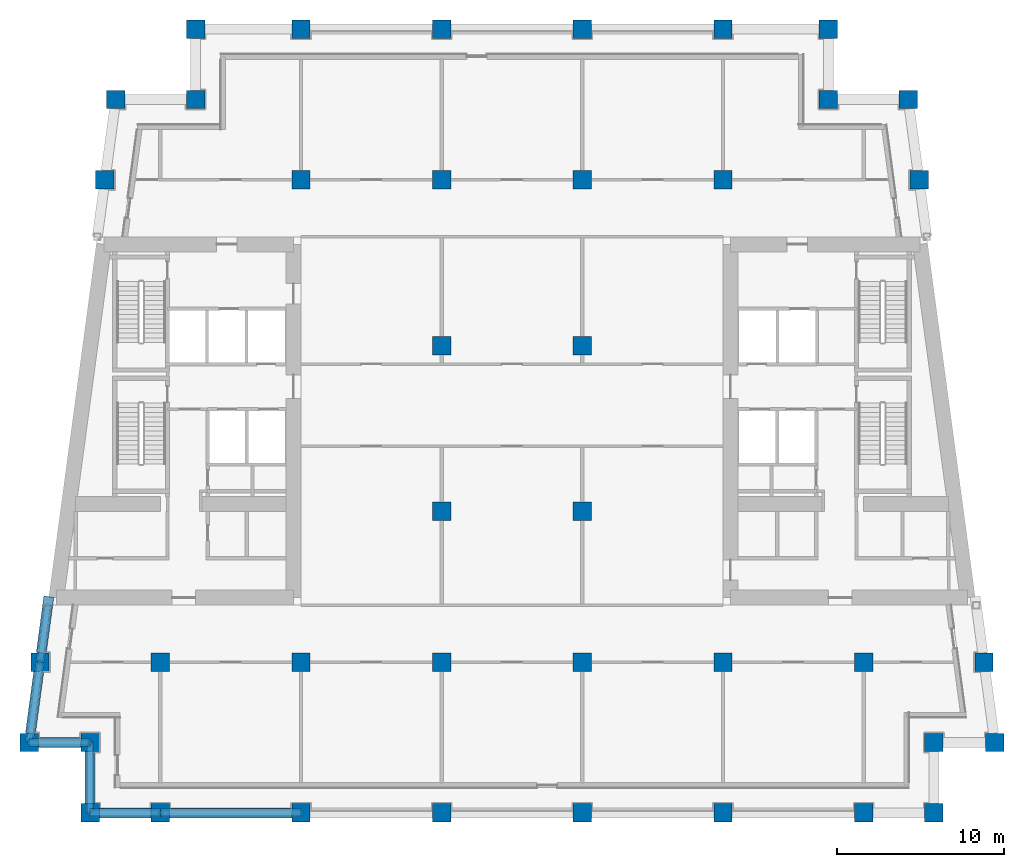
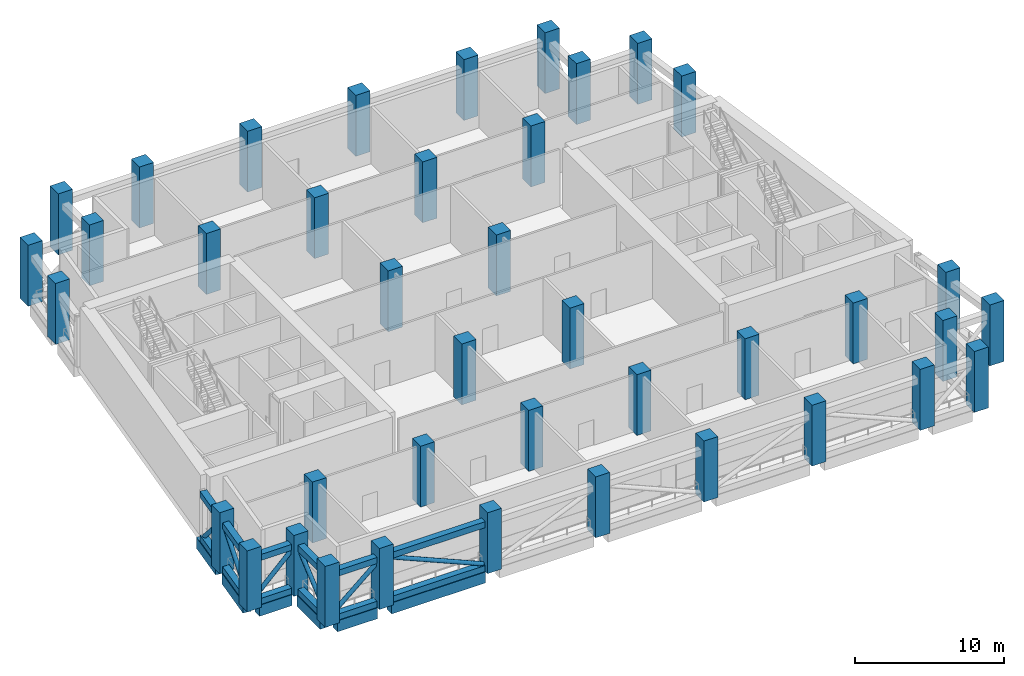
# One storey, part 1 of 12: 40 columns, 18 members, 6 beams.
"""IFC4 building model written with IfcOpenShell, lengths in metres."""

from ifc_helpers import new_model, si_unit, direction, frame, origin, origin_2d, place, context, subcontext, project, spatial, rectangle, hollow_rectangle, hollow_circle, extrude, material, material_profile, profile_set, type_object, element, save


model = new_model("IFC4")

# Units and contexts
model_context = context("Model", 3, precision=1e-05, world=origin(), true_north=direction((0.0, 1.0)))
body_context = subcontext(model_context, "Body", "Model", "MODEL_VIEW")
ifc_project = project(units=[si_unit("LENGTHUNIT", "METRE"), si_unit("AREAUNIT", "SQUARE_METRE"), si_unit("VOLUMEUNIT", "CUBIC_METRE"), si_unit("PLANEANGLEUNIT", "RADIAN"), si_unit("MASSUNIT", "GRAM", prefix="KILO")], contexts=[model_context])

# Site, building, storey
site_placement = place(None, origin())
site = spatial("IfcSite", under=ifc_project, at=site_placement, CompositionType="ELEMENT")
building_placement = place(site_placement, origin())
building = spatial("IfcBuilding", under=site, at=building_placement, Name="Candeia Pilgrim Tower and Theatre", CompositionType="ELEMENT")
storey_placement = place(building_placement, frame((0.0, 0.0, 197.199951171875)))
storey = spatial("IfcBuildingStorey", under=building, at=storey_placement, Name="L47", CompositionType="ELEMENT", Elevation=197.199951171875)

# Columns
ifc_material_1 = material(Name="Concrete C60/75", Category="concrete")
ifc_material_profile_1 = material_profile(ifc_material_1, rectangle(XDim=1.10009765625, YDim=1.10009765625, at=origin_2d()))
ifc_profile_set_1 = profile_set([ifc_material_profile_1], Name="Concrete C60/75")
column_type = type_object("IfcColumnType", Name="RC 1100x1100 C60/75", PredefinedType="COLUMN", material=ifc_profile_set_1)
for number, where, z_axis, x_axis, name in (
    (1, (92.39990234375, 98.0, 0.0), (0.0, 0.0, 1.0), (1.0, 0.0, 0.0), "Column A1"),
    (2, (100.800048828125, 98.0, 0.0), (0.0, 0.0, 1.0), (1.0, 0.0, 0.0), "Column A2"),
    (3, (109.199951171875, 98.0, 0.0), (0.0, 0.0, 1.0), (1.0, 0.0, 0.0), "Column A3"),
    (4, (117.60009765625, 98.0, 0.0), (0.0, 0.0, 1.0), (1.0, 0.0, 0.0), "Column A4"),
    (5, (126.0, 98.0, 0.0), (0.0, 0.0, 1.0), (1.0, 0.0, 0.0), "Column A5"),
    (6, (134.39990234375, 98.0, 0.0), (0.0, 0.0, 1.0), (1.0, 0.0, 0.0), "Column A6"),
    (7, (88.199951171875, 98.0, 0.0), (0.0, 0.0, 1.0), (1.0, 0.0, 0.0), "Column AW"),
    (8, (138.60009765625, 98.0, 0.0), (0.0, 0.0, 1.0), (1.0, 0.0, 0.0), "Column AE"),
    (9, (88.199951171875, 102.199951171875, 0.0), (0.0, 0.0, 1.0), (1.0, 0.0, 0.0), "Column NSW"),
    (10, (138.60009765625, 102.199951171875, 0.0), (0.0, 0.0, 1.0), (1.0, 0.0, 0.0), "Column NSE"),
    (11, (94.5, 140.60009765625, 0.0), (0.0, 0.0, 1.0), (1.0, 0.0, 0.0), "Column NNW"),
    (12, (132.300048828125, 140.60009765625, 0.0), (0.0, 0.0, 1.0), (1.0, 0.0, 0.0), "Column NNE"),
    (13, (84.5654296875, 102.199951171875, 0.0), (0.0, 0.0, 1.0), (1.0, 0.0, 0.0), "Column LSW"),
    (14, (142.234619140625, 102.199951171875, 0.0), (0.0, 0.0, 1.0), (1.0, 0.0, 0.0), "Column LSE"),
    (15, (89.734619140625, 140.60009765625, 0.0), (0.0, 0.0, 1.0), (1.0, 0.0, 0.0), "Column LNW"),
    (16, (137.0654296875, 140.60009765625, 0.0), (0.0, 0.0, 1.0), (1.0, 0.0, 0.0), "Column LNE"),
    (17, (92.39990234375, 107.0, 0.0), (0.0, 0.0, 1.0), (1.0, 0.0, 0.0), "Column B1"),
    (18, (100.800048828125, 107.0, 0.0), (0.0, 0.0, 1.0), (1.0, 0.0, 0.0), "Column B2"),
    (19, (109.199951171875, 107.0, 0.0), (0.0, 0.0, 1.0), (1.0, 0.0, 0.0), "Column B3"),
    (20, (117.60009765625, 107.0, 0.0), (0.0, 0.0, 1.0), (1.0, 0.0, 0.0), "Column B4"),
    (21, (126.0, 107.0, 0.0), (0.0, 0.0, 1.0), (1.0, 0.0, 0.0), "Column B5"),
    (22, (134.39990234375, 107.0, 0.0), (0.0, 0.0, 1.0), (1.0, 0.0, 0.0), "Column B6"),
    (23, (85.21142578125, 107.0, 0.0), (0.0, 0.0, 1.0), (1.0, 0.0, 0.0), "Column BW"),
    (24, (141.58837890625, 107.0, 0.0), (0.0, 0.0, 1.0), (1.0, 0.0, 0.0), "Column BE"),
    (25, (109.199951171875, 116.0, 0.0), (0.0, 0.0, 1.0), (1.0, 0.0, 0.0), "Column C3"),
    (26, (117.60009765625, 116.0, 0.0), (0.0, 0.0, 1.0), (1.0, 0.0, 0.0), "Column C4"),
    (27, (109.199951171875, 125.89990234375, 0.0), (0.0, 0.0, 1.0), (1.0, 0.0, 0.0), "Column D3"),
    (28, (117.60009765625, 125.89990234375, 0.0), (0.0, 0.0, 1.0), (1.0, 0.0, 0.0), "Column D4"),
    (29, (100.800048828125, 135.800048828125, 0.0), (0.0, 0.0, 1.0), (1.0, 0.0, 0.0), "Column E2"),
    (30, (109.199951171875, 135.800048828125, 0.0), (0.0, 0.0, 1.0), (1.0, 0.0, 0.0), "Column E3"),
    (31, (117.60009765625, 135.800048828125, 0.0), (0.0, 0.0, 1.0), (1.0, 0.0, 0.0), "Column E4"),
    (32, (126.0, 135.800048828125, 0.0), (0.0, 0.0, 1.0), (1.0, 0.0, 0.0), "Column E5"),
    (33, (89.08837890625, 135.800048828125, 0.0), (0.0, 0.0, 1.0), (1.0, 0.0, 0.0), "Column EW"),
    (34, (137.71142578125, 135.800048828125, 0.0), (0.0, 0.0, 1.0), (1.0, 0.0, 0.0), "Column EE"),
    (35, (100.800048828125, 144.800048828125, 0.0), (0.0, 0.0, 1.0), (1.0, 0.0, 0.0), "Column F2"),
    (36, (109.199951171875, 144.800048828125, 0.0), (0.0, 0.0, 1.0), (1.0, 0.0, 0.0), "Column F3"),
    (37, (117.60009765625, 144.800048828125, 0.0), (0.0, 0.0, 1.0), (1.0, 0.0, 0.0), "Column F4"),
    (38, (126.0, 144.800048828125, 0.0), (0.0, 0.0, 1.0), (1.0, 0.0, 0.0), "Column F5"),
    (39, (94.5, 144.800048828125, 0.0), (0.0, 0.0, 1.0), (1.0, 0.0, 0.0), "Column FW"),
    (40, (132.300048828125, 144.800048828125, 0.0), (0.0, 0.0, 1.0), (1.0, 0.0, 0.0), "Column FE"),
):
    element("IfcColumn", number, at=place(storey_placement, frame(where, z_axis=z_axis, x_axis=x_axis)), inside=storey, type_object=column_type, Name=name, PredefinedType="COLUMN", context=body_context, shape_type="SweptSolid", body=[
        extrude(rectangle(XDim=1.10009765625, YDim=1.10009765625, at=origin_2d()), origin(), (0.0, 0.0, 1.0), 5.0),
    ])

# Members
ifc_material_2 = material(Name="Structural steel ASTM A572 Grade 50", Category="steel")
ifc_material_profile_2 = material_profile(ifc_material_2, hollow_rectangle(XDim=0.5, YDim=0.5, WallThickness=0.031982421875, at=origin_2d()))
ifc_profile_set_2 = profile_set([ifc_material_profile_2], Name="Structural steel ASTM A572 Grade 50")
member_type_1 = type_object("IfcMemberType", Name="BOX 500x500x32 chord", PredefinedType="CHORD", material=ifc_profile_set_2)
for number, where, z_axis, x_axis, name in (
    (41, (88.199951171875, 98.0, 0.25), (1.0, 0.0, 0.0), (0.0, 1.0, 0.0), "Belt truss bottom chord TBL47"),
    (42, (88.199951171875, 98.0, 3.85009765625), (1.0, 0.0, 0.0), (0.0, 1.0, 0.0), "Belt truss top chord TBL47"),
):
    element("IfcMember", number, at=place(storey_placement, frame(where, z_axis=z_axis, x_axis=x_axis)), inside=storey, type_object=member_type_1, Name=name, PredefinedType="CHORD", context=body_context, shape_type="SweptSolid", body=[
        extrude(hollow_rectangle(XDim=0.5, YDim=0.5, WallThickness=0.031982421875, at=origin_2d()), origin(), (0.0, 0.0, 1.0), 4.199951171875),
    ])
for number, where, z_axis, x_axis, name in (
    (43, (92.39990234375, 98.0, 0.25), (1.0, 0.0, 0.0), (0.0, 1.0, 0.0), "Belt truss bottom chord TBL47"),
    (44, (92.39990234375, 98.0, 3.85009765625), (1.0, 0.0, 0.0), (0.0, 1.0, 0.0), "Belt truss top chord TBL47"),
):
    element("IfcMember", number, at=place(storey_placement, frame(where, z_axis=z_axis, x_axis=x_axis)), inside=storey, type_object=member_type_1, Name=name, PredefinedType="CHORD", context=body_context, shape_type="SweptSolid", body=[
        extrude(hollow_rectangle(XDim=0.5, YDim=0.5, WallThickness=0.031982421875, at=origin_2d()), origin(), (0.0, 0.0, 1.0), 8.400146484375),
    ])
for number, where, z_axis, x_axis, name in (
    (45, (85.669189453125, 110.39990234375, 0.25), (-0.133436208017, -0.991057404185, 0.0), (0.991057404185, -0.133436208017, 0.0), "Belt truss bottom chord TBL47"),
    (46, (85.669189453125, 110.39990234375, 3.85009765625), (-0.133436208017, -0.991057404185, 0.0), (0.991057404185, -0.133436208017, 0.0), "Belt truss top chord TBL47"),
):
    element("IfcMember", number, at=place(storey_placement, frame(where, z_axis=z_axis, x_axis=x_axis)), inside=storey, type_object=member_type_1, Name=name, PredefinedType="CHORD", context=body_context, shape_type="SweptSolid", body=[
        extrude(hollow_rectangle(XDim=0.5, YDim=0.5, WallThickness=0.031982421875, at=origin_2d()), origin(), (0.0, 0.0, 1.0), 3.4306640625),
    ])
for number, where, z_axis, x_axis, name in (
    (47, (85.21142578125, 107.0, 0.25), (-0.133378687709, -0.991065147034, 0.0), (0.991065147034, -0.133378687709, 0.0), "Belt truss bottom chord TBL47"),
    (48, (85.21142578125, 107.0, 3.85009765625), (-0.133378687709, -0.991065147034, 0.0), (0.991065147034, -0.133378687709, 0.0), "Belt truss top chord TBL47"),
):
    element("IfcMember", number, at=place(storey_placement, frame(where, z_axis=z_axis, x_axis=x_axis)), inside=storey, type_object=member_type_1, Name=name, PredefinedType="CHORD", context=body_context, shape_type="SweptSolid", body=[
        extrude(hollow_rectangle(XDim=0.5, YDim=0.5, WallThickness=0.031982421875, at=origin_2d()), origin(), (0.0, 0.0, 1.0), 4.84326171875),
    ])
for number, where, z_axis, x_axis, name in (
    (49, (84.5654296875, 102.199951171875, 0.25), (1.0, 0.0, 0.0), (0.0, 1.0, 0.0), "Belt truss bottom chord TBL47"),
    (50, (84.5654296875, 102.199951171875, 3.85009765625), (1.0, 0.0, 0.0), (0.0, 1.0, 0.0), "Belt truss top chord TBL47"),
):
    element("IfcMember", number, at=place(storey_placement, frame(where, z_axis=z_axis, x_axis=x_axis)), inside=storey, type_object=member_type_1, Name=name, PredefinedType="CHORD", context=body_context, shape_type="SweptSolid", body=[
        extrude(hollow_rectangle(XDim=0.5, YDim=0.5, WallThickness=0.031982421875, at=origin_2d()), origin(), (0.0, 0.0, 1.0), 3.634521484375),
    ])
for number, where, z_axis, x_axis, name in (
    (51, (88.199951171875, 102.199951171875, 0.25), (0.0, -1.0, 0.0), (1.0, 0.0, 0.0), "Belt truss bottom chord TBL47"),
    (52, (88.199951171875, 102.199951171875, 3.85009765625), (0.0, -1.0, 0.0), (1.0, 0.0, 0.0), "Belt truss top chord TBL47"),
):
    element("IfcMember", number, at=place(storey_placement, frame(where, z_axis=z_axis, x_axis=x_axis)), inside=storey, type_object=member_type_1, Name=name, PredefinedType="CHORD", context=body_context, shape_type="SweptSolid", body=[
        extrude(hollow_rectangle(XDim=0.5, YDim=0.5, WallThickness=0.031982421875, at=origin_2d()), origin(), (0.0, 0.0, 1.0), 4.199951171875),
    ])
ifc_material_profile_3 = material_profile(ifc_material_2, hollow_circle(Radius=0.161865234375, WallThickness=0.012451171875, at=origin_2d()))
ifc_profile_set_3 = profile_set([ifc_material_profile_3], Name="Structural steel ASTM A572 Grade 50")
member_type_2 = type_object("IfcMemberType", Name="CHS 324x12.5 brace", PredefinedType="BRACE", material=ifc_profile_set_3)
member_1_placement = place(storey_placement, frame((88.199951171875, 98.0, 0.25), z_axis=(0.759244140748, 0.0, 0.650805911728), x_axis=(0.0, 1.0, 0.0)))
element("IfcMember", 53, at=member_1_placement, inside=storey, type_object=member_type_2, Name="Belt truss diagonal TBL47", PredefinedType="BRACE", context=body_context, shape_type="SweptSolid", body=[
    extrude(hollow_circle(Radius=0.161865234375, WallThickness=0.012451171875, at=origin_2d()), origin(), (0.0, 0.0, 1.0), 5.53173828125),
])
member_2_placement = place(storey_placement, frame((100.800048828125, 98.0, 0.25), z_axis=(-0.919143648261, 0.0, 0.393922522663), x_axis=(0.0, -1.0, 0.0)))
element("IfcMember", 54, at=member_2_placement, inside=storey, type_object=member_type_2, Name="Belt truss diagonal TBL47", PredefinedType="BRACE", context=body_context, shape_type="SweptSolid", body=[
    extrude(hollow_circle(Radius=0.161865234375, WallThickness=0.012451171875, at=origin_2d()), origin(), (0.0, 0.0, 1.0), 9.13916015625),
])
member_3_placement = place(storey_placement, frame((85.669189453125, 110.39990234375, 0.25), z_axis=(-0.092051929327, -0.683688089494, 0.723945466586), x_axis=(0.991057404185, -0.133436208017, 0.0)))
element("IfcMember", 55, at=member_3_placement, inside=storey, type_object=member_type_2, Name="Belt truss diagonal TBL47", PredefinedType="BRACE", context=body_context, shape_type="SweptSolid", body=[
    extrude(hollow_circle(Radius=0.161865234375, WallThickness=0.012451171875, at=origin_2d()), origin(), (0.0, 0.0, 1.0), 4.972900390625),
])
member_4_placement = place(storey_placement, frame((84.5654296875, 102.199951171875, 0.25), z_axis=(0.107045636073, 0.795398431907, 0.596558937841), x_axis=(-0.991065147034, 0.133378687709, 0.0)))
element("IfcMember", 56, at=member_4_placement, inside=storey, type_object=member_type_2, Name="Belt truss diagonal TBL47", PredefinedType="BRACE", context=body_context, shape_type="SweptSolid", body=[
    extrude(hollow_circle(Radius=0.161865234375, WallThickness=0.012451171875, at=origin_2d()), origin(), (0.0, 0.0, 1.0), 6.03466796875),
])
member_5_placement = place(storey_placement, frame((84.5654296875, 102.199951171875, 0.25), z_axis=(0.710463300268, 0.0, 0.70373425309), x_axis=(0.0, 1.0, 0.0)))
element("IfcMember", 57, at=member_5_placement, inside=storey, type_object=member_type_2, Name="Belt truss diagonal TBL47", PredefinedType="BRACE", context=body_context, shape_type="SweptSolid", body=[
    extrude(hollow_circle(Radius=0.161865234375, WallThickness=0.012451171875, at=origin_2d()), origin(), (0.0, 0.0, 1.0), 5.11572265625),
])
member_6_placement = place(storey_placement, frame((88.199951171875, 98.0, 0.25), z_axis=(0.0, 0.759244140748, 0.650805911728), x_axis=(-1.0, 0.0, 0.0)))
element("IfcMember", 58, at=member_6_placement, inside=storey, type_object=member_type_2, Name="Belt truss diagonal TBL47", PredefinedType="BRACE", context=body_context, shape_type="SweptSolid", body=[
    extrude(hollow_circle(Radius=0.161865234375, WallThickness=0.012451171875, at=origin_2d()), origin(), (0.0, 0.0, 1.0), 5.53173828125),
])

# Beams
ifc_material_profile_4 = material_profile(ifc_material_1, rectangle(XDim=0.60009765625, YDim=0.89990234375, at=origin_2d()))
ifc_profile_set_4 = profile_set([ifc_material_profile_4], Name="Concrete C60/75")
beam_type = type_object("IfcBeamType", Name="RC 600x900 C60/75", PredefinedType="BEAM", material=ifc_profile_set_4)
beam_1_placement = place(storey_placement, frame((88.75, 98.0, -0.449951171875), z_axis=(1.0, 0.0, 0.0), x_axis=(0.0, 1.0, 0.0)))
element("IfcBeam", 59, at=beam_1_placement, inside=storey, type_object=beam_type, Name="Spandrel beam L47-01", PredefinedType="BEAM", context=body_context, shape_type="SweptSolid", body=[
    extrude(rectangle(XDim=0.60009765625, YDim=0.89990234375, at=origin_2d()), origin(), (0.0, 0.0, 1.0), 3.10009765625),
])
beam_2_placement = place(storey_placement, frame((92.949951171875, 98.0, -0.449951171875), z_axis=(1.0, 0.0, 0.0), x_axis=(0.0, 1.0, 0.0)))
element("IfcBeam", 60, at=beam_2_placement, inside=storey, type_object=beam_type, Name="Spandrel beam L47-02", PredefinedType="BEAM", context=body_context, shape_type="SweptSolid", body=[
    extrude(rectangle(XDim=0.60009765625, YDim=0.89990234375, at=origin_2d()), origin(), (0.0, 0.0, 1.0), 7.300048828125),
])
beam_3_placement = place(storey_placement, frame((85.73779296875, 110.91015625, -0.449951171875), z_axis=(-0.133361686371, -0.991067434945, 0.0), x_axis=(0.991067434945, -0.133361686371, 0.0)))
element("IfcBeam", 61, at=beam_3_placement, inside=storey, type_object=beam_type, Name="Spandrel beam L47-25", PredefinedType="BEAM", context=body_context, shape_type="SweptSolid", body=[
    extrude(rectangle(XDim=0.60009765625, YDim=0.89990234375, at=origin_2d()), origin(), (0.0, 0.0, 1.0), 3.390380859375),
])
beam_4_placement = place(storey_placement, frame((85.137451171875, 106.449951171875, -0.449951171875), z_axis=(-0.133405836075, -0.991061492997, 0.0), x_axis=(0.991061492997, -0.133405836075, 0.0)))
element("IfcBeam", 62, at=beam_4_placement, inside=storey, type_object=beam_type, Name="Spandrel beam L47-26", PredefinedType="BEAM", context=body_context, shape_type="SweptSolid", body=[
    extrude(rectangle(XDim=0.60009765625, YDim=0.89990234375, at=origin_2d()), origin(), (0.0, 0.0, 1.0), 3.7333984375),
])
beam_5_placement = place(storey_placement, frame((85.115478515625, 102.199951171875, -0.449951171875), z_axis=(1.0, 0.0, 0.0), x_axis=(0.0, 1.0, 0.0)))
element("IfcBeam", 63, at=beam_5_placement, inside=storey, type_object=beam_type, Name="Spandrel beam L47-27", PredefinedType="BEAM", context=body_context, shape_type="SweptSolid", body=[
    extrude(rectangle(XDim=0.60009765625, YDim=0.89990234375, at=origin_2d()), origin(), (0.0, 0.0, 1.0), 2.534423828125),
])
beam_6_placement = place(storey_placement, frame((88.199951171875, 101.64990234375, -0.449951171875), z_axis=(0.0, -1.0, 0.0), x_axis=(1.0, 0.0, 0.0)))
element("IfcBeam", 64, at=beam_6_placement, inside=storey, type_object=beam_type, Name="Spandrel beam L47-28", PredefinedType="BEAM", context=body_context, shape_type="SweptSolid", body=[
    extrude(rectangle(XDim=0.60009765625, YDim=0.89990234375, at=origin_2d()), origin(), (0.0, 0.0, 1.0), 3.099853515625),
])

save(model, "model.ifc")
